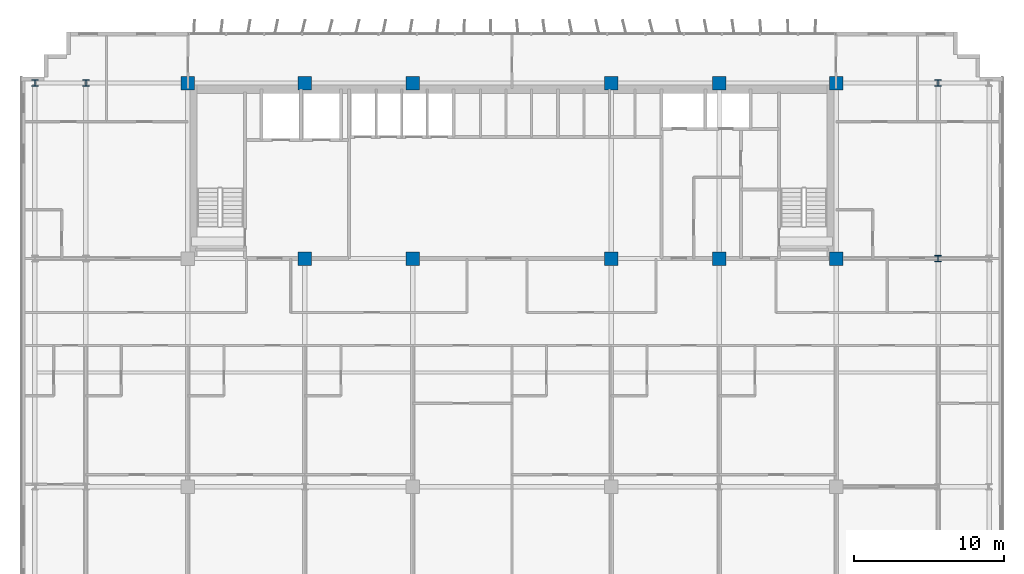
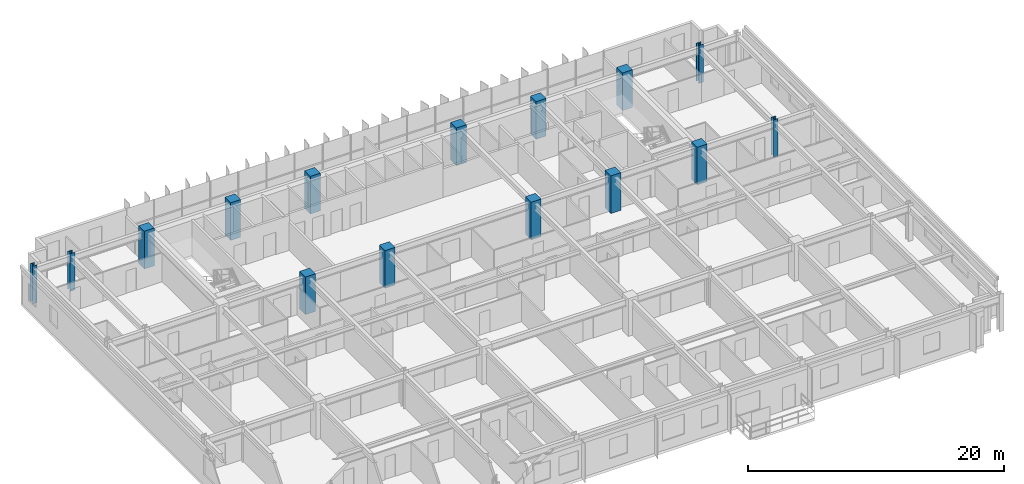
# One storey, part 2 of 24: 15 columns.
"""IFC4 building model written with IfcOpenShell, lengths in metres."""

from ifc_helpers import new_model, si_unit, direction, frame, origin, origin_2d, place, context, subcontext, project, spatial, rectangle, i_section, extrude, source, transform, mapped, material, material_profile, profile_set, type_object, element, save


model = new_model("IFC4")

# Units and contexts
model_context = context("Model", 3, precision=1e-05, world=origin(), true_north=direction((0.0, 1.0)))
body_context = subcontext(model_context, "Body", "Model", "MODEL_VIEW")
ifc_project = project(units=[si_unit("LENGTHUNIT", "METRE"), si_unit("AREAUNIT", "SQUARE_METRE"), si_unit("VOLUMEUNIT", "CUBIC_METRE"), si_unit("PLANEANGLEUNIT", "RADIAN"), si_unit("MASSUNIT", "GRAM", prefix="KILO")], contexts=[model_context])

# Site, building, storey
site_placement = place(None, origin())
site = spatial("IfcSite", under=ifc_project, at=site_placement, CompositionType="ELEMENT")
building_placement = place(site_placement, origin())
building = spatial("IfcBuilding", under=site, at=building_placement, Name="Trelvane Seafront Commons", CompositionType="ELEMENT")
storey_placement = place(building_placement, frame((0.0, 0.0, 27.10009765625)))
storey = spatial("IfcBuildingStorey", under=building, at=storey_placement, Name="L06", CompositionType="ELEMENT", Elevation=27.10009765625)

# Columns
ifc_material_1 = material(Name="Steel SM355 (S355)", Category="steel")
ifc_material_profile_1 = material_profile(ifc_material_1, i_section(OverallWidth=0.419921875, OverallDepth=0.419921875, WebThickness=0.02587890625, FlangeThickness=0.0400390625, at=origin_2d()), Name="HD-420x420x26x40")
ifc_profile_set_1 = profile_set([ifc_material_profile_1], Name="Steel SM355 (S355)")
column_type_1 = type_object("IfcColumnType", Name="STR-COL-HD420", PredefinedType="COLUMN", material=ifc_profile_set_1)
shared_shape_1 = source(origin(), body_context, "Body", "SweptSolid", [
    extrude(i_section(OverallWidth=0.419921875, OverallDepth=0.419921875, WebThickness=0.02587890625, FlangeThickness=0.0400390625, at=origin_2d()), origin(), (0.0, 0.0, 1.0), 3.599853515625),
])
for number, where, z_axis, x_axis, name in (
    (1, (5.39990234375, 45.10009765625, 0.0), (0.0, 0.0, 1.0), (1.0, 0.0, 0.0), "L06 Column TC-CN5.4"),
    (2, (8.800048828125, 45.10009765625, 0.0), (0.0, 0.0, 1.0), (1.0, 0.0, 0.0), "L06 Column TC-CN8.8"),
    (3, (65.60009765625, 33.39990234375, 0.0), (0.0, 0.0, 1.0), (1.0, 0.0, 0.0), "L06 Column TC-CS65.6"),
    (4, (65.60009765625, 45.10009765625, 0.0), (0.0, 0.0, 1.0), (1.0, 0.0, 0.0), "L06 Column TC-CN65.6"),
):
    element("IfcColumn", number, at=place(storey_placement, frame(where, z_axis=z_axis, x_axis=x_axis)), inside=storey, type_object=column_type_1, Name=name, PredefinedType="COLUMN", context=body_context, shape_type="MappedRepresentation", body=[
        mapped(shared_shape_1, transform((0.0, 0.0, 0.0), x_axis=(1.0, 0.0, 0.0), y_axis=(0.0, 1.0, 0.0), z_axis=(0.0, 0.0, 1.0), scale=1.0)),
    ])
ifc_material_2 = material(Name="Concrete C60/75", Category="concrete")
ifc_material_profile_2 = material_profile(ifc_material_2, rectangle(XDim=0.89990234375, YDim=0.89990234375, at=origin_2d()), Name="RC-900x900")
ifc_profile_set_2 = profile_set([ifc_material_profile_2], Name="Concrete C60/75")
column_type_2 = type_object("IfcColumnType", Name="STR-COL-RC900", PredefinedType="COLUMN", material=ifc_profile_set_2)
shared_shape_2 = source(origin(), body_context, "Body", "SweptSolid", [
    extrude(rectangle(XDim=0.89990234375, YDim=0.89990234375, at=origin_2d()), origin(), (0.0, 0.0, 1.0), 3.599853515625),
])
for number, where, z_axis, x_axis, name in (
    (5, (15.60009765625, 45.10009765625, 0.0), (0.0, 0.0, 1.0), (1.0, 0.0, 0.0), "L06 Column TC-CN15.6"),
    (6, (23.39990234375, 33.39990234375, 0.0), (0.0, 0.0, 1.0), (1.0, 0.0, 0.0), "L06 Column TC-CS23.4"),
    (7, (23.39990234375, 45.10009765625, 0.0), (0.0, 0.0, 1.0), (1.0, 0.0, 0.0), "L06 Column TC-CN23.4"),
    (8, (30.60009765625, 33.39990234375, 0.0), (0.0, 0.0, 1.0), (1.0, 0.0, 0.0), "L06 Column TC-CS30.6"),
    (9, (30.60009765625, 45.10009765625, 0.0), (0.0, 0.0, 1.0), (1.0, 0.0, 0.0), "L06 Column TC-CN30.6"),
    (10, (43.800048828125, 33.39990234375, 0.0), (0.0, 0.0, 1.0), (1.0, 0.0, 0.0), "L06 Column TC-CS43.8"),
    (11, (43.800048828125, 45.10009765625, 0.0), (0.0, 0.0, 1.0), (1.0, 0.0, 0.0), "L06 Column TC-CN43.8"),
    (12, (51.0, 33.39990234375, 0.0), (0.0, 0.0, 1.0), (1.0, 0.0, 0.0), "L06 Column TC-CS51.0"),
    (13, (51.0, 45.10009765625, 0.0), (0.0, 0.0, 1.0), (1.0, 0.0, 0.0), "L06 Column TC-CN51.0"),
    (14, (58.800048828125, 33.39990234375, 0.0), (0.0, 0.0, 1.0), (1.0, 0.0, 0.0), "L06 Column TC-CS58.8"),
    (15, (58.800048828125, 45.10009765625, 0.0), (0.0, 0.0, 1.0), (1.0, 0.0, 0.0), "L06 Column TC-CN58.8"),
):
    element("IfcColumn", number, at=place(storey_placement, frame(where, z_axis=z_axis, x_axis=x_axis)), inside=storey, type_object=column_type_2, Name=name, PredefinedType="COLUMN", context=body_context, shape_type="MappedRepresentation", body=[
        mapped(shared_shape_2, transform((0.0, 0.0, 0.0), x_axis=(1.0, 0.0, 0.0), y_axis=(0.0, 1.0, 0.0), z_axis=(0.0, 0.0, 1.0), scale=1.0)),
    ])

save(model, "model.ifc")
